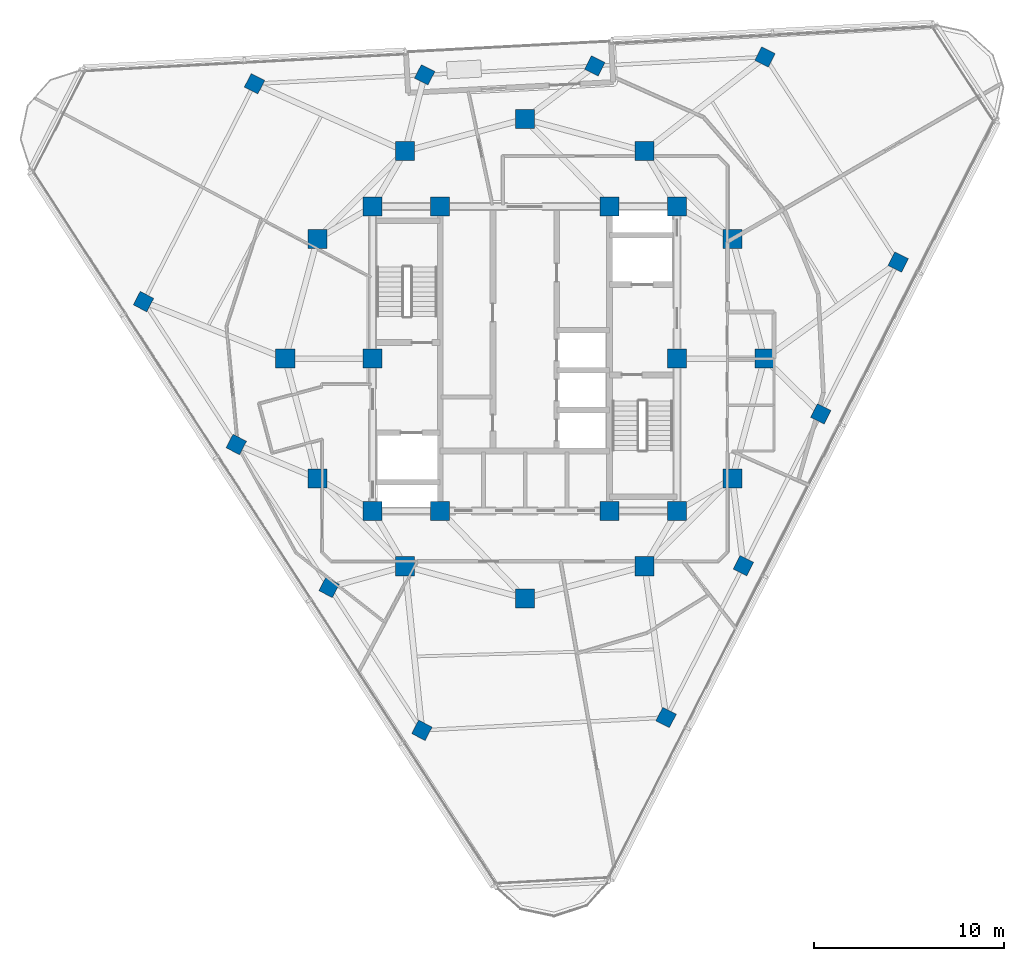
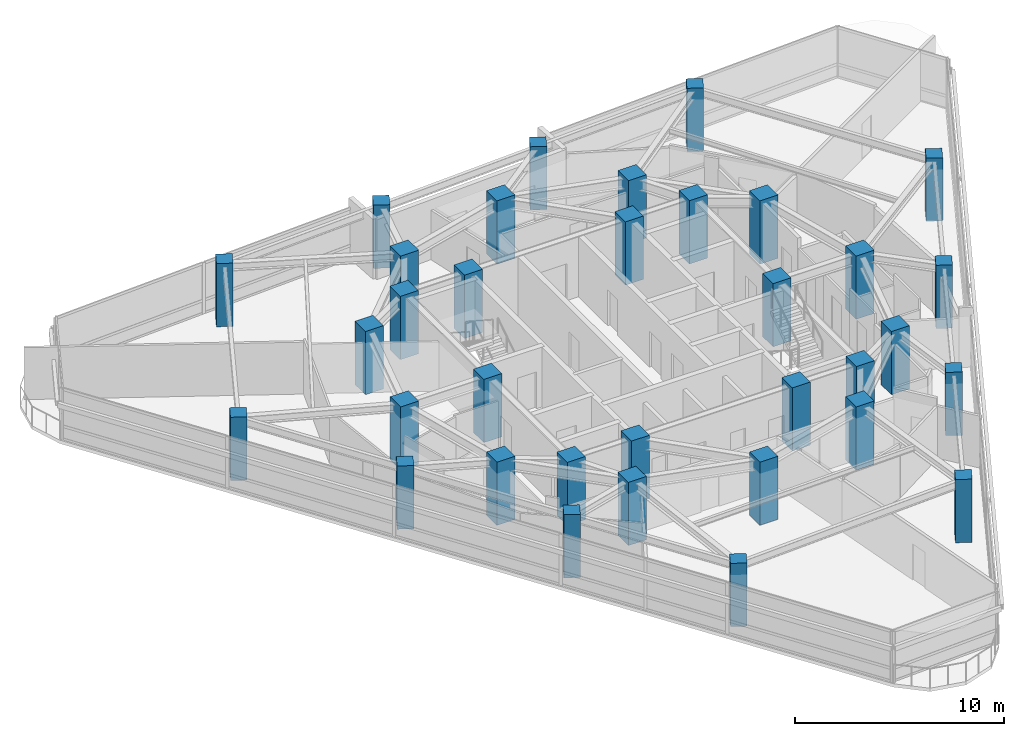
# One storey, part 1 of 15: 34 columns.
"""IFC4 building model written with IfcOpenShell, lengths in metres."""

from ifc_helpers import new_model, si_unit, direction, frame, origin, origin_2d, place, context, subcontext, project, spatial, rectangle, extrude, material, material_profile, profile_set, type_object, element, save


model = new_model("IFC4")

# Units and contexts
model_context = context("Model", 3, precision=1e-05, world=origin(), true_north=direction((0.0, 1.0)))
body_context = subcontext(model_context, "Body", "Model", "MODEL_VIEW")
ifc_project = project(units=[si_unit("LENGTHUNIT", "METRE"), si_unit("AREAUNIT", "SQUARE_METRE"), si_unit("VOLUMEUNIT", "CUBIC_METRE"), si_unit("PLANEANGLEUNIT", "RADIAN"), si_unit("MASSUNIT", "GRAM", prefix="KILO")], contexts=[model_context])

# Site, building, storey
site_placement = place(None, origin())
site = spatial("IfcSite", under=ifc_project, at=site_placement, CompositionType="ELEMENT")
building_placement = place(site_placement, origin())
building = spatial("IfcBuilding", under=site, at=building_placement, Name="Terralouvre Media Tower", CompositionType="ELEMENT")
storey_placement = place(building_placement, frame((0.0, 0.0, 270.699951171875)))
storey = spatial("IfcBuildingStorey", under=building, at=storey_placement, Name="L70", CompositionType="ELEMENT", Elevation=270.699951171875)

# Columns
ifc_material_1 = material(Name="Concrete C50/60", Category="concrete")
ifc_material_profile_1 = material_profile(ifc_material_1, rectangle(XDim=1.0, YDim=1.0, at=origin_2d()), Name="RC 1000x1000")
ifc_profile_set_1 = profile_set([ifc_material_profile_1], Name="Concrete C50/60")
column_type_1 = type_object("IfcColumnType", Name="Structural Column C-RC1000 (RC 1000x1000)", PredefinedType="COLUMN", material=ifc_profile_set_1)
for number, where, z_axis, x_axis, name in (
    (1, (-8.0, -8.0, 0.0), (0.0, 0.0, 1.0), (1.0, 0.0, 0.0), "L70 Core Pilaster Column CP1"),
    (2, (-4.449951171875, -8.0, 0.0), (0.0, 0.0, 1.0), (1.0, 0.0, 0.0), "L70 Core Pilaster Column CP2"),
    (3, (4.449951171875, -8.0, 0.0), (0.0, 0.0, 1.0), (1.0, 0.0, 0.0), "L70 Core Pilaster Column CP10"),
    (4, (8.0, -8.0, 0.0), (0.0, 0.0, 1.0), (1.0, 0.0, 0.0), "L70 Core Pilaster Column CP3"),
    (5, (8.0, 0.0, 0.0), (0.0, 0.0, 1.0), (1.0, 0.0, 0.0), "L70 Core Pilaster Column CP4"),
    (6, (8.0, 8.0, 0.0), (0.0, 0.0, 1.0), (1.0, 0.0, 0.0), "L70 Core Pilaster Column CP5"),
    (7, (4.449951171875, 8.0, 0.0), (0.0, 0.0, 1.0), (1.0, 0.0, 0.0), "L70 Core Pilaster Column CP9"),
    (8, (-4.449951171875, 8.0, 0.0), (0.0, 0.0, 1.0), (1.0, 0.0, 0.0), "L70 Core Pilaster Column CP6"),
    (9, (-8.0, 8.0, 0.0), (0.0, 0.0, 1.0), (1.0, 0.0, 0.0), "L70 Core Pilaster Column CP7"),
    (10, (-8.0, 0.0, 0.0), (0.0, 0.0, 1.0), (1.0, 0.0, 0.0), "L70 Core Pilaster Column CP8"),
    (11, (12.60009765625, 0.0, 0.0), (0.0, 0.0, 1.0), (1.0, 0.0, 0.0), "L70 Mega-Frame Column MC01"),
    (12, (10.911865234375, 6.300048828125, 0.0), (0.0, 0.0, 1.0), (1.0, 0.0, 0.0), "L70 Mega-Frame Column MC02"),
    (13, (6.300048828125, 10.911865234375, 0.0), (0.0, 0.0, 1.0), (1.0, 0.0, 0.0), "L70 Mega-Frame Column MC03"),
    (14, (0.0, 12.60009765625, 0.0), (0.0, 0.0, 1.0), (1.0, 0.0, 0.0), "L70 Mega-Frame Column MC04"),
    (15, (-6.300048828125, 10.911865234375, 0.0), (0.0, 0.0, 1.0), (1.0, 0.0, 0.0), "L70 Mega-Frame Column MC05"),
    (16, (-10.911865234375, 6.300048828125, 0.0), (0.0, 0.0, 1.0), (1.0, 0.0, 0.0), "L70 Mega-Frame Column MC06"),
    (17, (-12.60009765625, 0.0, 0.0), (0.0, 0.0, 1.0), (1.0, 0.0, 0.0), "L70 Mega-Frame Column MC07"),
    (18, (-10.911865234375, -6.300048828125, 0.0), (0.0, 0.0, 1.0), (1.0, 0.0, 0.0), "L70 Mega-Frame Column MC08"),
    (19, (-6.300048828125, -10.911865234375, 0.0), (0.0, 0.0, 1.0), (1.0, 0.0, 0.0), "L70 Mega-Frame Column MC09"),
    (20, (0.0, -12.60009765625, 0.0), (0.0, 0.0, 1.0), (1.0, 0.0, 0.0), "L70 Mega-Frame Column MC10"),
    (21, (6.300048828125, -10.911865234375, 0.0), (0.0, 0.0, 1.0), (1.0, 0.0, 0.0), "L70 Mega-Frame Column MC11"),
    (22, (10.911865234375, -6.300048828125, 0.0), (0.0, 0.0, 1.0), (1.0, 0.0, 0.0), "L70 Mega-Frame Column MC12"),
):
    element("IfcColumn", number, at=place(storey_placement, frame(where, z_axis=z_axis, x_axis=x_axis)), inside=storey, type_object=column_type_1, Name=name, PredefinedType="COLUMN", context=body_context, shape_type="SweptSolid", body=[
        extrude(rectangle(XDim=1.0, YDim=1.0, at=origin_2d()), origin(), (0.0, 0.0, 1.0), 3.699951171875),
    ])
ifc_material_2 = material(Name="Concrete C50/60", Category="concrete")
ifc_material_profile_2 = material_profile(ifc_material_2, rectangle(XDim=0.800048828125, YDim=0.800048828125, at=origin_2d()), Name="RC 800x800")
ifc_profile_set_2 = profile_set([ifc_material_profile_2], Name="Concrete C50/60")
column_type_2 = type_object("IfcColumnType", Name="Structural Column C-RC800 (RC 800x800)", PredefinedType="COLUMN", material=ifc_profile_set_2)
for number, where, z_axis, x_axis, name in (
    (23, (7.42626953125, -18.867919921875, 0.0), (0.0, 0.0, 1.0), (0.45399049974, 0.891006524188, 0.0), "L70 Perimeter Mega-Column PC11"),
    (24, (11.493896484375, -10.884521484375, 0.0), (0.0, 0.0, 1.0), (0.45399049974, 0.891006524188, 0.0), "L70 Perimeter Mega-Column PC12"),
    (25, (15.561767578125, -2.901123046875, 0.0), (0.0, 0.0, 1.0), (0.45399049974, 0.891006524188, 0.0), "L70 Perimeter Mega-Column PC13"),
    (26, (19.62939453125, 5.082275390625, 0.0), (0.0, 0.0, 1.0), (0.45399049974, 0.891006524188, 0.0), "L70 Perimeter Mega-Column PC14"),
    (27, (12.626953125, 15.865234375, 0.0), (0.0, 0.0, 1.0), (0.45399049974, 0.891006524188, 0.0), "L70 Perimeter Mega-Column PC21"),
    (28, (3.67919921875, 15.396240234375, 0.0), (0.0, 0.0, 1.0), (0.45399049974, 0.891006524188, 0.0), "L70 Perimeter Mega-Column PC22"),
    (29, (-5.2685546875, 14.927490234375, 0.0), (0.0, 0.0, 1.0), (0.45399049974, 0.891006524188, 0.0), "L70 Perimeter Mega-Column PC23"),
    (30, (-14.21630859375, 14.45849609375, 0.0), (0.0, 0.0, 1.0), (0.45399049974, 0.891006524188, 0.0), "L70 Perimeter Mega-Column PC24"),
    (31, (-20.05322265625, 3.002685546875, 0.0), (0.0, 0.0, 1.0), (0.45399049974, 0.891006524188, 0.0), "L70 Perimeter Mega-Column PC31"),
    (32, (-15.17333984375, -4.51171875, 0.0), (0.0, 0.0, 1.0), (0.45399049974, 0.891006524188, 0.0), "L70 Perimeter Mega-Column PC32"),
    (33, (-10.293212890625, -12.0263671875, 0.0), (0.0, 0.0, 1.0), (0.45399049974, 0.891006524188, 0.0), "L70 Perimeter Mega-Column PC33"),
    (34, (-5.413330078125, -19.540771484375, 0.0), (0.0, 0.0, 1.0), (0.45399049974, 0.891006524188, 0.0), "L70 Perimeter Mega-Column PC34"),
):
    element("IfcColumn", number, at=place(storey_placement, frame(where, z_axis=z_axis, x_axis=x_axis)), inside=storey, type_object=column_type_2, Name=name, PredefinedType="COLUMN", context=body_context, shape_type="SweptSolid", body=[
        extrude(rectangle(XDim=0.800048828125, YDim=0.800048828125, at=origin_2d()), origin(), (0.0, 0.0, 1.0), 3.699951171875),
    ])

save(model, "model.ifc")
